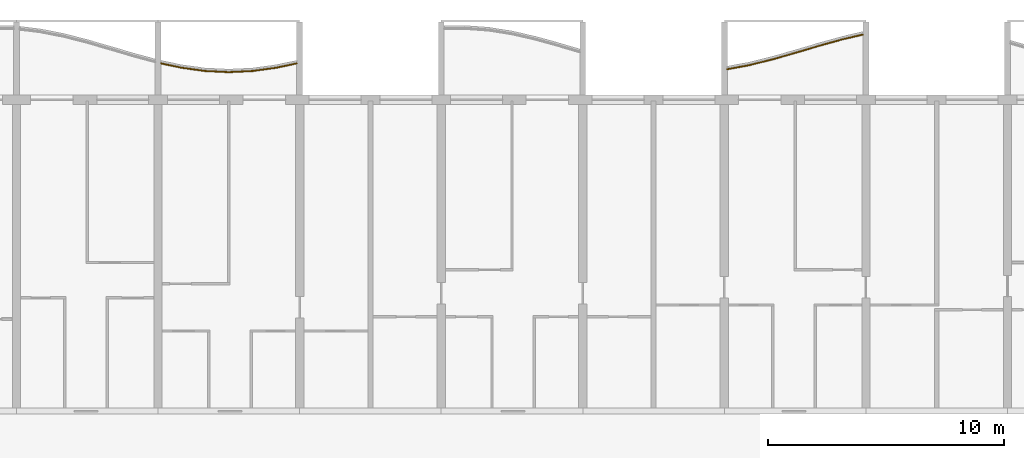
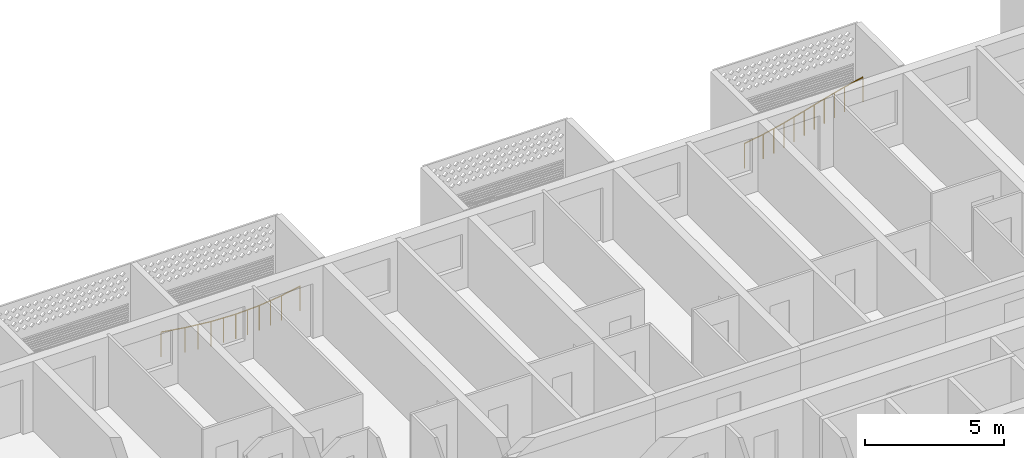
# One storey, part 23 of 31: 2 railings.
"""IFC4 building model written with IfcOpenShell, lengths in metres."""

import ifcopenshell
import ifcopenshell.guid

model = None  # the IFC model being written
_history = None  # IfcOwnerHistory: only IFC2X3 demands one
_inside = {}  # id of a spatial element -> (the spatial element, [elements in it])
_under = {}  # id of a project, library or spatial element -> (it, [spatial elements below it])
_declared = {}  # id of a project -> (the project, [libraries it declares])
_typed = {}  # id of a type object -> (the type object, [elements of that type])
_made_of = {}  # id of a material, layer set ... -> (it, [elements and type objects made of it])


def new_model(schema):
    """Start an empty IFC model of exactly this schema.

    Asked for "IFC4X3", IfcOpenShell would pick the latest addendum, in which some entities
    have other attributes; the version numbers below select the first issue.
    IFC2X3 requires an IfcOwnerHistory on every rooted entity: one is made here for all.
    """
    global model, _history
    if schema == "IFC4X3":
        model = ifcopenshell.file(schema_version=(4, 3, 0, 0))
    else:
        model = ifcopenshell.file(schema=schema)
    _inside.clear()
    _under.clear()
    _declared.clear()
    _typed.clear()
    _made_of.clear()
    _history = None
    if model.schema == "IFC2X3":
        org = make("IfcOrganization", Name="unknown")
        user = make(
            "IfcPersonAndOrganization",
            ThePerson=make("IfcPerson", FamilyName="unknown"),
            TheOrganization=org,
        )
        app = make(
            "IfcApplication",
            ApplicationDeveloper=org,
            Version="unknown",
            ApplicationFullName="unknown",
            ApplicationIdentifier="unknown",
        )
        _history = make(
            "IfcOwnerHistory",
            OwningUser=user,
            OwningApplication=app,
            ChangeAction="ADDED",
            CreationDate=0,
        )
    return model


def make(cls, **values):
    """One entity of the class cls with the attributes given. An attribute that is None is left unset."""
    return model.create_entity(
        cls, **{name: value for name, value in values.items() if value is not None}
    )


def rooted(cls, **values):
    """An entity with a GlobalId (a new one), such as an element, a storey or a relation."""
    return make(cls, GlobalId=ifcopenshell.guid.new(), OwnerHistory=_history, **values)


def si_unit(unit_type, name, prefix=None):
    """IfcSIUnit, for example si_unit("LENGTHUNIT", "METRE", prefix="MILLI")."""
    return make("IfcSIUnit", UnitType=unit_type, Prefix=prefix, Name=name)


def assignment(units):
    """IfcUnitAssignment: the units of a project."""
    return None if units is None else make("IfcUnitAssignment", Units=units)


def point(xyz):
    """IfcCartesianPoint."""
    return None if xyz is None else make("IfcCartesianPoint", Coordinates=xyz)


def direction(xyz):
    """IfcDirection."""
    return None if xyz is None else make("IfcDirection", DirectionRatios=xyz)


def frame(location, z_axis=None, x_axis=None):
    """IfcAxis2Placement3D, a coordinate frame: its origin and axes. An axis left out is left unset."""
    return make(
        "IfcAxis2Placement3D",
        Location=point(location),
        Axis=direction(z_axis),
        RefDirection=direction(x_axis),
    )


def frame_2d(location, x_axis=None):
    """IfcAxis2Placement2D, a coordinate frame in the plane: its origin and x axis."""
    return make(
        "IfcAxis2Placement2D", Location=point(location), RefDirection=direction(x_axis)
    )


def origin():
    """The frame at (0, 0, 0) with its axes left unset."""
    return frame((0.0, 0.0, 0.0))


def origin_2d():
    """The frame at (0, 0) in the plane with its x axis left unset."""
    return frame_2d((0.0, 0.0))


def place(relative_to, where):
    """IfcLocalPlacement: puts the frame where relative to a parent placement (None: the world)."""
    return make(
        "IfcLocalPlacement", PlacementRelTo=relative_to, RelativePlacement=where
    )


def context(
    kind, dimensions, precision=None, world=None, true_north=None, identifier=None
):
    """IfcGeometricRepresentationContext, for example the 3D "Model" context."""
    return make(
        "IfcGeometricRepresentationContext",
        ContextIdentifier=identifier,
        ContextType=kind,
        CoordinateSpaceDimension=dimensions,
        Precision=precision,
        WorldCoordinateSystem=world,
        TrueNorth=true_north,
    )


def subcontext(parent, identifier, kind, view, scale=None):
    """IfcGeometricRepresentationSubContext, for example "Body" below "Model"."""
    return make(
        "IfcGeometricRepresentationSubContext",
        ContextIdentifier=identifier,
        ContextType=kind,
        ParentContext=parent,
        TargetScale=scale,
        TargetView=view,
    )


def project(units=None, contexts=None):
    """IfcProject with its units and contexts."""
    return rooted(
        "IfcProject",
        Name="project",
        RepresentationContexts=contexts,
        UnitsInContext=assignment(units),
    )


def spatial(cls, under=None, at=None, **own):
    """A site, building, storey or space (cls), placed at a placement, below another one or the project."""
    s = rooted(cls, ObjectPlacement=at, **own)
    if under is not None:
        _under.setdefault(under.id(), (under, []))[1].append(s)
    return s


def profile(cls, at=None, kind="AREA", **sizes):
    """A parametric profile (cls). Its sizes go by their IFC names, for example OverallWidth=200.0."""
    return make(cls, ProfileType=kind, Position=at, **sizes)


def circle(**sizes):
    """IfcCircleProfileDef."""
    return profile("IfcCircleProfileDef", **sizes)


def extrude(swept, where, along, depth):
    """IfcExtrudedAreaSolid: the profile swept, set in the frame where, extruded along a direction by depth."""
    return make(
        "IfcExtrudedAreaSolid",
        SweptArea=swept,
        Position=where,
        ExtrudedDirection=direction(along),
        Depth=depth,
    )


def shape(context_of_items, identifier, shape_type, items):
    """IfcShapeRepresentation: the items that make up one representation, for example the "Body"."""
    return make(
        "IfcShapeRepresentation",
        ContextOfItems=context_of_items,
        RepresentationIdentifier=identifier,
        RepresentationType=shape_type,
        Items=items,
    )


def material(Name=None, Category=None):
    """IfcMaterial."""
    return make("IfcMaterial", Name=Name, Category=Category)


def made_of(thing, what):
    """Note that an element or type object is made of a material, layer set ...; save() writes the relation."""
    if what is not None:
        _made_of.setdefault(what.id(), (what, []))[1].append(thing)
    return thing


def type_object(cls, material=None, **own):
    """A type object (cls), such as IfcWallType, which elements share."""
    return made_of(rooted(cls, **own), material)


def element(
    cls,
    number,
    at=None,
    inside=None,
    cuts=None,
    type_object=None,
    material=None,
    context=None,
    identifier="Body",
    shape_type=None,
    held_by="IfcProductDefinitionShape",
    body=None,
    shapes=None,
    **own,
):
    """One element of the class cls, such as IfcWall. Its Tag is "e" and its number.

    at: its placement. inside: the storey or other place that contains it. cuts: it is an
    opening in that element (IfcRelVoidsElement). A single representation is given by context,
    identifier, shape_type and body (its items); several are given by shapes. held_by: the class
    of the entity that holds the representations. save() writes the other relations.
    """
    e = rooted(cls, Tag="e%d" % number, ObjectPlacement=at, **own)
    if body is not None:
        shapes = [shape(context, identifier, shape_type, body)]
    if shapes is not None:
        e.Representation = make(held_by, Representations=shapes)
    if inside is not None:
        _inside.setdefault(inside.id(), (inside, []))[1].append(e)
    if cuts is not None:
        rooted(
            "IfcRelVoidsElement", RelatingBuildingElement=cuts, RelatedOpeningElement=e
        )
    if type_object is not None:
        _typed.setdefault(type_object.id(), (type_object, []))[1].append(e)
    return made_of(e, material)


def aggregate(whole, parts):
    """IfcRelAggregates: a whole, such as a stair, and the parts it consists of."""
    return rooted("IfcRelAggregates", RelatingObject=whole, RelatedObjects=parts)


def save(model, path):
    """Write the relations noted so far, then the file.

    IfcRelAggregates (storeys below a building ...), IfcRelContainedInSpatialStructure (elements
    in a storey), IfcRelDefinesByType, IfcRelAssociatesMaterial and IfcRelDeclares: one each for
    every whole, place, type object, material and project.
    """
    for whole, parts in _under.values():
        aggregate(whole, parts)
    for where, things in _inside.values():
        rooted(
            "IfcRelContainedInSpatialStructure",
            RelatedElements=things,
            RelatingStructure=where,
        )
    for kind, things in _typed.values():
        rooted("IfcRelDefinesByType", RelatedObjects=things, RelatingType=kind)
    for what, things in _made_of.values():
        rooted("IfcRelAssociatesMaterial", RelatedObjects=things, RelatingMaterial=what)
    for by, libraries in _declared.values():
        rooted("IfcRelDeclares", RelatingContext=by, RelatedDefinitions=libraries)
    model.write(path)


model = new_model("IFC4")

# Units and contexts
model_context = context("Model", 3, precision=1e-05, world=origin(), true_north=direction((0.0, 1.0)))
body_context = subcontext(model_context, "Body", "Model", "MODEL_VIEW")
ifc_project = project(units=[si_unit("LENGTHUNIT", "METRE"), si_unit("AREAUNIT", "SQUARE_METRE"), si_unit("VOLUMEUNIT", "CUBIC_METRE"), si_unit("PLANEANGLEUNIT", "RADIAN"), si_unit("MASSUNIT", "GRAM", prefix="KILO")], contexts=[model_context])

# Site, building, storey
site_placement = place(None, origin())
site = spatial("IfcSite", under=ifc_project, at=site_placement, CompositionType="ELEMENT")
building_placement = place(site_placement, origin())
building = spatial("IfcBuilding", under=site, at=building_placement, Name="Poui Terraces", CompositionType="ELEMENT")
storey_placement = place(building_placement, frame((0.0, 0.0, 82.800048828125)))
storey = spatial("IfcBuildingStorey", under=building, at=storey_placement, Name="L22", CompositionType="ELEMENT", Elevation=82.800048828125)

# Railings
ifc_material = material(Name="Painted steel fretwork", Category="steel")
railing_type = type_object("IfcRailingType", Name="BALCONY GUARD 1100", PredefinedType="GUARDRAIL", material=ifc_material)
railing_1_placement = place(storey_placement, frame((36.125, 45.139404296875, 0.0)))
element("IfcRailing", 1, at=railing_1_placement, inside=storey, type_object=railing_type, Name="BALCONY GUARD", PredefinedType="GUARDRAIL", context=body_context, shape_type="SweptSolid", body=[
    extrude(circle(Radius=0.02392578125, at=origin_2d()), frame((0.0, 0.0, 1.076171875), z_axis=(0.978633720926, -0.205611381657, 0.0), x_axis=(0.205611381657, 0.978633720926, 0.0)), (0.0, 0.0, 1.0), 0.89404296875),
    extrude(circle(Radius=0.02392578125, at=origin_2d()), frame((0.875, -0.183837890625, 1.076171875), z_axis=(0.990620000385, -0.136645581108, 0.0), x_axis=(0.136645581108, 0.990620000385, 0.0)), (0.0, 0.0, 1.0), 1.009521484375),
    extrude(circle(Radius=0.02392578125, at=origin_2d()), frame((1.875, -0.32177734375, 1.076171875), z_axis=(0.998868689387, -0.047553563093, 0.0), x_axis=(0.047553563093, 0.998868689387, 0.0)), (0.0, 0.0, 1.0), 1.001220703125),
    extrude(circle(Radius=0.02392578125, at=origin_2d()), frame((2.875, -0.369384765625, 1.076171875), z_axis=(0.998868689387, 0.047553563093, 0.0), x_axis=(-0.047553563093, 0.998868689387, 0.0)), (0.0, 0.0, 1.0), 1.001220703125),
    extrude(circle(Radius=0.02392578125, at=origin_2d()), frame((3.875, -0.32177734375, 1.076171875), z_axis=(0.990620000385, 0.136645581108, 0.0), x_axis=(-0.136645581108, 0.990620000385, 0.0)), (0.0, 0.0, 1.0), 1.009521484375),
    extrude(circle(Radius=0.02392578125, at=origin_2d()), frame((4.875, -0.183837890625, 1.076171875), z_axis=(0.978633720926, 0.205611381657, 0.0), x_axis=(-0.205611381657, 0.978633720926, 0.0)), (0.0, 0.0, 1.0), 0.89404296875),
    extrude(circle(Radius=0.02099609375, at=origin_2d()), origin(), (0.0, 0.0, 1.0), 1.052001953125),
    extrude(circle(Radius=0.02099609375, at=origin_2d()), frame((0.875, -0.183837890625, 0.0)), (0.0, 0.0, 1.0), 1.052001953125),
    extrude(circle(Radius=0.02099609375, at=origin_2d()), frame((1.375, -0.2529296875, 0.0)), (0.0, 0.0, 1.0), 1.052001953125),
    extrude(circle(Radius=0.02099609375, at=origin_2d()), frame((1.875, -0.32177734375, 0.0)), (0.0, 0.0, 1.0), 1.052001953125),
    extrude(circle(Radius=0.02099609375, at=origin_2d()), frame((2.375, -0.345703125, 0.0)), (0.0, 0.0, 1.0), 1.052001953125),
    extrude(circle(Radius=0.02099609375, at=origin_2d()), frame((2.875, -0.369384765625, 0.0)), (0.0, 0.0, 1.0), 1.052001953125),
    extrude(circle(Radius=0.02099609375, at=origin_2d()), frame((3.375, -0.345703125, 0.0)), (0.0, 0.0, 1.0), 1.052001953125),
    extrude(circle(Radius=0.02099609375, at=origin_2d()), frame((3.875, -0.32177734375, 0.0)), (0.0, 0.0, 1.0), 1.052001953125),
    extrude(circle(Radius=0.02099609375, at=origin_2d()), frame((4.375, -0.2529296875, 0.0)), (0.0, 0.0, 1.0), 1.052001953125),
    extrude(circle(Radius=0.02099609375, at=origin_2d()), frame((4.875, -0.183837890625, 0.0)), (0.0, 0.0, 1.0), 1.052001953125),
    extrude(circle(Radius=0.02099609375, at=origin_2d()), frame((5.75, 0.0, 0.0)), (0.0, 0.0, 1.0), 1.052001953125),
])
railing_2_placement = place(storey_placement, frame((60.125, 44.893798828125, 0.0)))
element("IfcRailing", 2, at=railing_2_placement, inside=storey, type_object=railing_type, Name="BALCONY GUARD", PredefinedType="GUARDRAIL", context=body_context, shape_type="SweptSolid", body=[
    extrude(circle(Radius=0.02392578125, at=origin_2d()), frame((0.0, 0.0, 1.076171875), z_axis=(0.983609802465, 0.180310167472, 0.0), x_axis=(-0.180310167472, 0.983609802465, 0.0)), (0.0, 0.0, 1.0), 0.8896484375),
    extrude(circle(Radius=0.02392578125, at=origin_2d()), frame((0.875, 0.160400390625, 1.076171875), z_axis=(0.971412377048, 0.23739838609, 0.0), x_axis=(-0.23739838609, 0.971412377048, 0.0)), (0.0, 0.0, 1.0), 1.029541015625),
    extrude(circle(Radius=0.02392578125, at=origin_2d()), frame((1.875, 0.40478515625, 1.076171875), z_axis=(0.961727468954, 0.274007801823, 0.0), x_axis=(-0.274007801823, 0.961727468954, 0.0)), (0.0, 0.0, 1.0), 1.039794921875),
    extrude(circle(Radius=0.02392578125, at=origin_2d()), frame((2.875, 0.689697265625, 1.076171875), z_axis=(0.958774495191, 0.284168026651, 0.0), x_axis=(-0.284168026651, 0.958774495191, 0.0)), (0.0, 0.0, 1.0), 1.04296875),
    extrude(circle(Radius=0.02392578125, at=origin_2d()), frame((3.875, 0.986083984375, 1.076171875), z_axis=(0.963565078544, 0.267473997633, 0.0), x_axis=(-0.267473997633, 0.963565078544, 0.0)), (0.0, 0.0, 1.0), 1.037841796875),
    extrude(circle(Radius=0.02392578125, at=origin_2d()), frame((4.875, 1.263671875, 1.076171875), z_axis=(0.973736897475, 0.227676205381, 0.0), x_axis=(-0.227676205381, 0.973736897475, 0.0)), (0.0, 0.0, 1.0), 0.898681640625),
    extrude(circle(Radius=0.02099609375, at=origin_2d()), origin(), (0.0, 0.0, 1.0), 1.052001953125),
    extrude(circle(Radius=0.02099609375, at=origin_2d()), frame((0.875, 0.160400390625, 0.0)), (0.0, 0.0, 1.0), 1.052001953125),
    extrude(circle(Radius=0.02099609375, at=origin_2d()), frame((1.375, 0.28271484375, 0.0)), (0.0, 0.0, 1.0), 1.052001953125),
    extrude(circle(Radius=0.02099609375, at=origin_2d()), frame((1.875, 0.40478515625, 0.0)), (0.0, 0.0, 1.0), 1.052001953125),
    extrude(circle(Radius=0.02099609375, at=origin_2d()), frame((2.375, 0.54736328125, 0.0)), (0.0, 0.0, 1.0), 1.052001953125),
    extrude(circle(Radius=0.02099609375, at=origin_2d()), frame((2.875, 0.689697265625, 0.0)), (0.0, 0.0, 1.0), 1.052001953125),
    extrude(circle(Radius=0.02099609375, at=origin_2d()), frame((3.375, 0.837890625, 0.0)), (0.0, 0.0, 1.0), 1.052001953125),
    extrude(circle(Radius=0.02099609375, at=origin_2d()), frame((3.875, 0.986083984375, 0.0)), (0.0, 0.0, 1.0), 1.052001953125),
    extrude(circle(Radius=0.02099609375, at=origin_2d()), frame((4.375, 1.125, 0.0)), (0.0, 0.0, 1.0), 1.052001953125),
    extrude(circle(Radius=0.02099609375, at=origin_2d()), frame((4.875, 1.263671875, 0.0)), (0.0, 0.0, 1.0), 1.052001953125),
    extrude(circle(Radius=0.02099609375, at=origin_2d()), frame((5.75, 1.46826171875, 0.0)), (0.0, 0.0, 1.0), 1.052001953125),
])

save(model, "model.ifc")
